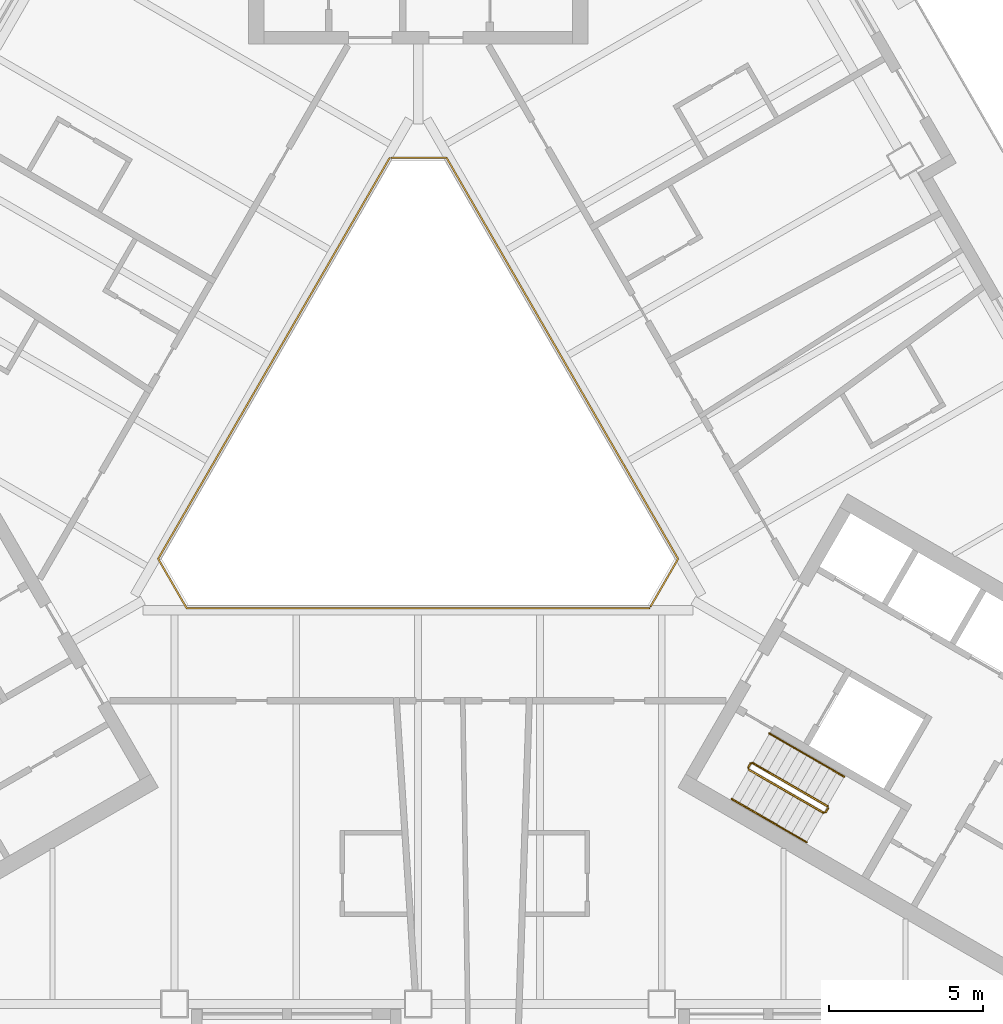
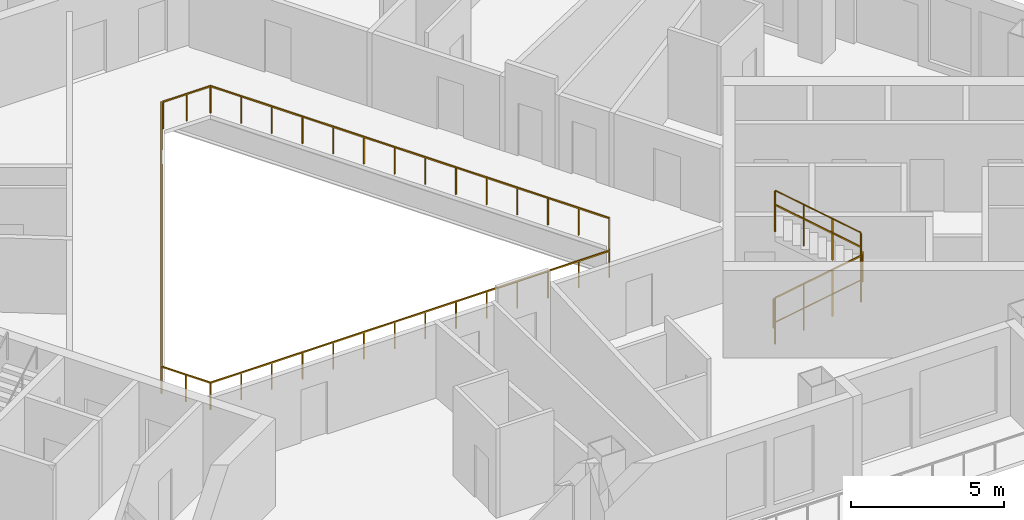
# One storey, part 12 of 14: 8 railings.
"""IFC4 building model written with IfcOpenShell, lengths in metres."""

from ifc_helpers import new_model, si_unit, direction, frame, origin, origin_2d, place, context, subcontext, project, spatial, rectangle, circle, extrude, material, type_object, element, save


model = new_model("IFC4")

# Units and contexts
model_context = context("Model", 3, precision=1e-05, world=origin(), true_north=direction((0.0, 1.0)))
body_context = subcontext(model_context, "Body", "Model", "MODEL_VIEW")
ifc_project = project(units=[si_unit("LENGTHUNIT", "METRE"), si_unit("AREAUNIT", "SQUARE_METRE"), si_unit("VOLUMEUNIT", "CUBIC_METRE"), si_unit("PLANEANGLEUNIT", "RADIAN"), si_unit("MASSUNIT", "GRAM", prefix="KILO")], contexts=[model_context])

# Site, building, storey
site_placement = place(None, origin())
site = spatial("IfcSite", under=ifc_project, at=site_placement, CompositionType="ELEMENT")
building_placement = place(site_placement, origin())
building = spatial("IfcBuilding", under=site, at=building_placement, Name="Apuvela Tower Hotel", CompositionType="ELEMENT")
storey_placement = place(building_placement, frame((0.0, 0.0, 109.39990234375)))
storey = spatial("IfcBuildingStorey", under=building, at=storey_placement, Name="L25", CompositionType="ELEMENT", Elevation=109.39990234375)

# Railings
ifc_material_1 = material(Name="Steel S275 balustrade", Category="steel")
railing_type_1 = type_object("IfcRailingType", Name="COR-GUARD-1100", PredefinedType="GUARDRAIL", material=ifc_material_1)
railing_1_placement = place(storey_placement, frame((10.718994140625, -10.63427734375, 0.168212890625)))
element("IfcRailing", 1, at=railing_1_placement, inside=storey, type_object=railing_type_1, Name="L25 ST3 stair guard 1", PredefinedType="GUARDRAIL", context=body_context, shape_type="SweptSolid", body=[
    extrude(rectangle(XDim=0.048095703125, YDim=0.048095703125, at=origin_2d()), frame((0.0, 0.0, 1.076171875), z_axis=(0.742390482028, -0.42860119049, 0.514934356695), x_axis=(0.49998411664, 0.866034573852, 0.0)), (0.0, 0.0, 1.0), 3.26611328125),
    extrude(rectangle(XDim=0.0419921875, YDim=0.0419921875, at=origin_2d()), origin(), (0.0, 0.0, 1.0), 1.052001953125),
    extrude(rectangle(XDim=0.0419921875, YDim=0.0419921875, at=origin_2d()), frame((0.808349609375, -0.466552734375, 0.560546875)), (0.0, 0.0, 1.0), 1.052001953125),
    extrude(rectangle(XDim=0.0419921875, YDim=0.0419921875, at=origin_2d()), frame((1.616455078125, -0.933349609375, 1.121337890625)), (0.0, 0.0, 1.0), 1.052001953125),
    extrude(rectangle(XDim=0.0419921875, YDim=0.0419921875, at=origin_2d()), frame((2.4248046875, -1.39990234375, 1.681884765625)), (0.0, 0.0, 1.0), 1.052001953125),
])
railing_2_placement = place(storey_placement, frame((13.212158203125, -12.015869140625, 1.85009765625)))
element("IfcRailing", 2, at=railing_2_placement, inside=storey, type_object=railing_type_1, Name="L25 ST3 stair guard 2", PredefinedType="GUARDRAIL", context=body_context, shape_type="SweptSolid", body=[
    extrude(rectangle(XDim=0.048095703125, YDim=0.048095703125, at=origin_2d()), frame((0.0, 0.0, 1.076171875), z_axis=(0.499816412211, 0.866131372301, 0.0), x_axis=(-0.866131372301, 0.499816412211, 0.0)), (0.0, 0.0, 1.0), 0.14990234375),
    extrude(rectangle(XDim=0.0419921875, YDim=0.0419921875, at=origin_2d()), origin(), (0.0, 0.0, 1.0), 1.052001953125),
    extrude(rectangle(XDim=0.0419921875, YDim=0.0419921875, at=origin_2d()), frame((0.074951171875, 0.1298828125, 0.0)), (0.0, 0.0, 1.0), 1.052001953125),
])
railing_3_placement = place(storey_placement, frame((13.268798828125, -11.817626953125, 2.018310546875)))
element("IfcRailing", 3, at=railing_3_placement, inside=storey, type_object=railing_type_1, Name="L25 ST3 stair guard 3", PredefinedType="GUARDRAIL", context=body_context, shape_type="SweptSolid", body=[
    extrude(rectangle(XDim=0.048095703125, YDim=0.048095703125, at=origin_2d()), frame((0.0, 0.0, 1.076171875), z_axis=(-0.742390482028, 0.42860119049, 0.514934356695), x_axis=(-0.49998411664, -0.866034573852, 0.0)), (0.0, 0.0, 1.0), 3.26611328125),
    extrude(rectangle(XDim=0.0419921875, YDim=0.0419921875, at=origin_2d()), origin(), (0.0, 0.0, 1.0), 1.052001953125),
    extrude(rectangle(XDim=0.0419921875, YDim=0.0419921875, at=origin_2d()), frame((-0.808349609375, 0.466552734375, 0.560546875)), (0.0, 0.0, 1.0), 1.052001953125),
    extrude(rectangle(XDim=0.0419921875, YDim=0.0419921875, at=origin_2d()), frame((-1.616455078125, 0.933349609375, 1.121337890625)), (0.0, 0.0, 1.0), 1.052001953125),
    extrude(rectangle(XDim=0.0419921875, YDim=0.0419921875, at=origin_2d()), frame((-2.4248046875, 1.39990234375, 1.681884765625)), (0.0, 0.0, 1.0), 1.052001953125),
])
railing_4_placement = place(storey_placement, frame((10.70068359375, -10.56591796875, 0.0)))
element("IfcRailing", 4, at=railing_4_placement, inside=storey, type_object=railing_type_1, Name="L25 ST3 stair guard 4", PredefinedType="GUARDRAIL", context=body_context, shape_type="SweptSolid", body=[
    extrude(rectangle(XDim=0.048095703125, YDim=0.048095703125, at=origin_2d()), frame((0.0, 0.0, 1.076171875), z_axis=(0.499816412211, 0.866131372301, 0.0), x_axis=(-0.866131372301, 0.499816412211, 0.0)), (0.0, 0.0, 1.0), 0.14990234375),
    extrude(rectangle(XDim=0.0419921875, YDim=0.0419921875, at=origin_2d()), origin(), (0.0, 0.0, 1.0), 1.052001953125),
    extrude(rectangle(XDim=0.0419921875, YDim=0.0419921875, at=origin_2d()), frame((0.074951171875, 0.1298828125, 0.0)), (0.0, 0.0, 1.0), 1.052001953125),
])
ifc_material_2 = material(Name="Stainless steel 316 handrail", Category="steel")
railing_type_2 = type_object("IfcRailingType", Name="COR-HANDRAIL-900", PredefinedType="HANDRAIL", material=ifc_material_2)
railing_5_placement = place(storey_placement, frame((10.1689453125, -11.5869140625, 0.168212890625)))
element("IfcRailing", 5, at=railing_5_placement, inside=storey, type_object=railing_type_2, Name="L25 ST3 stair handrail 1", PredefinedType="HANDRAIL", context=body_context, shape_type="SweptSolid", body=[
    extrude(circle(Radius=0.02392578125, at=origin_2d()), frame((0.0, 0.0, 0.8759765625), z_axis=(0.742390482028, -0.42860119049, 0.514934356695), x_axis=(0.49998411664, 0.866034573852, 0.0)), (0.0, 0.0, 1.0), 3.26611328125),
    extrude(rectangle(XDim=0.0419921875, YDim=0.0419921875, at=origin_2d()), origin(), (0.0, 0.0, 1.0), 0.851806640625),
    extrude(rectangle(XDim=0.0419921875, YDim=0.0419921875, at=origin_2d()), frame((0.808349609375, -0.466552734375, 0.560546875)), (0.0, 0.0, 1.0), 0.851806640625),
    extrude(rectangle(XDim=0.0419921875, YDim=0.0419921875, at=origin_2d()), frame((1.616455078125, -0.933349609375, 1.121337890625)), (0.0, 0.0, 1.0), 0.851806640625),
    extrude(rectangle(XDim=0.0419921875, YDim=0.0419921875, at=origin_2d()), frame((2.4248046875, -1.39990234375, 1.681884765625)), (0.0, 0.0, 1.0), 0.851806640625),
])
railing_6_placement = place(storey_placement, frame((13.81884765625, -10.864990234375, 2.018310546875)))
element("IfcRailing", 6, at=railing_6_placement, inside=storey, type_object=railing_type_2, Name="L25 ST3 stair handrail 2", PredefinedType="HANDRAIL", context=body_context, shape_type="SweptSolid", body=[
    extrude(circle(Radius=0.02392578125, at=origin_2d()), frame((0.0, 0.0, 0.8759765625), z_axis=(-0.742390482028, 0.42860119049, 0.514934356695), x_axis=(-0.49998411664, -0.866034573852, 0.0)), (0.0, 0.0, 1.0), 3.26611328125),
    extrude(rectangle(XDim=0.0419921875, YDim=0.0419921875, at=origin_2d()), origin(), (0.0, 0.0, 1.0), 0.851806640625),
    extrude(rectangle(XDim=0.0419921875, YDim=0.0419921875, at=origin_2d()), frame((-0.808349609375, 0.466552734375, 0.560546875)), (0.0, 0.0, 1.0), 0.851806640625),
    extrude(rectangle(XDim=0.0419921875, YDim=0.0419921875, at=origin_2d()), frame((-1.616455078125, 0.933349609375, 1.121337890625)), (0.0, 0.0, 1.0), 0.851806640625),
    extrude(rectangle(XDim=0.0419921875, YDim=0.0419921875, at=origin_2d()), frame((-2.4248046875, 1.39990234375, 1.681884765625)), (0.0, 0.0, 1.0), 0.851806640625),
])
ifc_material_3 = material(Name="Stainless steel 316 rail with laminated glass infill", Category="steel")
railing_type_3 = type_object("IfcRailingType", Name="ENV-GUARD-1100", PredefinedType="GUARDRAIL", material=ifc_material_3)
railing_7_placement = place(storey_placement, frame((-0.923828125, 9.199951171875, 0.0)))
element("IfcRailing", 7, at=railing_7_placement, inside=storey, type_object=railing_type_3, Name="Atrium void guard A L25", PredefinedType="GUARDRAIL", context=body_context, shape_type="SweptSolid", body=[
    extrude(rectangle(XDim=0.050048828125, YDim=0.050048828125, at=origin_2d()), frame((0.0, 0.0, 1.0751953125), z_axis=(-0.499990886379, -0.866030665472, 0.0), x_axis=(0.866030665472, -0.499990886379, 0.0)), (0.0, 0.0, 1.0), 15.010986328125),
    extrude(rectangle(XDim=0.050048828125, YDim=0.050048828125, at=origin_2d()), frame((-7.50537109375, -13.0, 1.0751953125), z_axis=(0.499962699187, -0.866046938348, 0.0), x_axis=(0.866046938348, 0.499962699187, 0.0)), (0.0, 0.0, 1.0), 1.847412109375),
    extrude(rectangle(XDim=0.050048828125, YDim=0.050048828125, at=origin_2d()), frame((-6.581787109375, -14.599853515625, 1.0751953125), z_axis=(1.0, 0.0, 0.0), x_axis=(0.0, 1.0, 0.0)), (0.0, 0.0, 1.0), 15.01123046875),
    extrude(rectangle(XDim=0.0400390625, YDim=0.0400390625, at=origin_2d()), origin(), (0.0, 0.0, 1.0), 1.050048828125),
    extrude(rectangle(XDim=0.0400390625, YDim=0.0400390625, at=origin_2d()), frame((-0.577392578125, -1.0, 0.0)), (0.0, 0.0, 1.0), 1.050048828125),
    extrude(rectangle(XDim=0.0400390625, YDim=0.0400390625, at=origin_2d()), frame((-1.15478515625, -2.0, 0.0)), (0.0, 0.0, 1.0), 1.050048828125),
    extrude(rectangle(XDim=0.0400390625, YDim=0.0400390625, at=origin_2d()), frame((-1.73193359375, -3.0, 0.0)), (0.0, 0.0, 1.0), 1.050048828125),
    extrude(rectangle(XDim=0.0400390625, YDim=0.0400390625, at=origin_2d()), frame((-2.309326171875, -4.0, 0.0)), (0.0, 0.0, 1.0), 1.050048828125),
    extrude(rectangle(XDim=0.0400390625, YDim=0.0400390625, at=origin_2d()), frame((-2.88671875, -5.0, 0.0)), (0.0, 0.0, 1.0), 1.050048828125),
    extrude(rectangle(XDim=0.0400390625, YDim=0.0400390625, at=origin_2d()), frame((-3.464111328125, -6.0, 0.0)), (0.0, 0.0, 1.0), 1.050048828125),
    extrude(rectangle(XDim=0.0400390625, YDim=0.0400390625, at=origin_2d()), frame((-4.041259765625, -7.0, 0.0)), (0.0, 0.0, 1.0), 1.050048828125),
    extrude(rectangle(XDim=0.0400390625, YDim=0.0400390625, at=origin_2d()), frame((-4.61865234375, -8.0, 0.0)), (0.0, 0.0, 1.0), 1.050048828125),
    extrude(rectangle(XDim=0.0400390625, YDim=0.0400390625, at=origin_2d()), frame((-5.196044921875, -9.0, 0.0)), (0.0, 0.0, 1.0), 1.050048828125),
    extrude(rectangle(XDim=0.0400390625, YDim=0.0400390625, at=origin_2d()), frame((-5.7734375, -10.0, 0.0)), (0.0, 0.0, 1.0), 1.050048828125),
    extrude(rectangle(XDim=0.0400390625, YDim=0.0400390625, at=origin_2d()), frame((-6.3505859375, -11.0, 0.0)), (0.0, 0.0, 1.0), 1.050048828125),
    extrude(rectangle(XDim=0.0400390625, YDim=0.0400390625, at=origin_2d()), frame((-6.927978515625, -12.0, 0.0)), (0.0, 0.0, 1.0), 1.050048828125),
    extrude(rectangle(XDim=0.0400390625, YDim=0.0400390625, at=origin_2d()), frame((-7.50537109375, -13.0, 0.0)), (0.0, 0.0, 1.0), 1.050048828125),
    extrude(rectangle(XDim=0.0400390625, YDim=0.0400390625, at=origin_2d()), frame((-7.04345703125, -13.7998046875, 0.0)), (0.0, 0.0, 1.0), 1.050048828125),
    extrude(rectangle(XDim=0.0400390625, YDim=0.0400390625, at=origin_2d()), frame((-6.581787109375, -14.599853515625, 0.0)), (0.0, 0.0, 1.0), 1.050048828125),
    extrude(rectangle(XDim=0.0400390625, YDim=0.0400390625, at=origin_2d()), frame((-5.427001953125, -14.599853515625, 0.0)), (0.0, 0.0, 1.0), 1.050048828125),
    extrude(rectangle(XDim=0.0400390625, YDim=0.0400390625, at=origin_2d()), frame((-4.2724609375, -14.599853515625, 0.0)), (0.0, 0.0, 1.0), 1.050048828125),
    extrude(rectangle(XDim=0.0400390625, YDim=0.0400390625, at=origin_2d()), frame((-3.11767578125, -14.599853515625, 0.0)), (0.0, 0.0, 1.0), 1.050048828125),
    extrude(rectangle(XDim=0.0400390625, YDim=0.0400390625, at=origin_2d()), frame((-1.962890625, -14.599853515625, 0.0)), (0.0, 0.0, 1.0), 1.050048828125),
    extrude(rectangle(XDim=0.0400390625, YDim=0.0400390625, at=origin_2d()), frame((-0.808349609375, -14.599853515625, 0.0)), (0.0, 0.0, 1.0), 1.050048828125),
    extrude(rectangle(XDim=0.0400390625, YDim=0.0400390625, at=origin_2d()), frame((0.346435546875, -14.599853515625, 0.0)), (0.0, 0.0, 1.0), 1.050048828125),
    extrude(rectangle(XDim=0.0400390625, YDim=0.0400390625, at=origin_2d()), frame((1.501220703125, -14.599853515625, 0.0)), (0.0, 0.0, 1.0), 1.050048828125),
    extrude(rectangle(XDim=0.0400390625, YDim=0.0400390625, at=origin_2d()), frame((2.656005859375, -14.599853515625, 0.0)), (0.0, 0.0, 1.0), 1.050048828125),
    extrude(rectangle(XDim=0.0400390625, YDim=0.0400390625, at=origin_2d()), frame((3.810546875, -14.599853515625, 0.0)), (0.0, 0.0, 1.0), 1.050048828125),
    extrude(rectangle(XDim=0.0400390625, YDim=0.0400390625, at=origin_2d()), frame((4.96533203125, -14.599853515625, 0.0)), (0.0, 0.0, 1.0), 1.050048828125),
    extrude(rectangle(XDim=0.0400390625, YDim=0.0400390625, at=origin_2d()), frame((6.1201171875, -14.599853515625, 0.0)), (0.0, 0.0, 1.0), 1.050048828125),
    extrude(rectangle(XDim=0.0400390625, YDim=0.0400390625, at=origin_2d()), frame((7.274658203125, -14.599853515625, 0.0)), (0.0, 0.0, 1.0), 1.050048828125),
    extrude(rectangle(XDim=0.0400390625, YDim=0.0400390625, at=origin_2d()), frame((8.429443359375, -14.599853515625, 0.0)), (0.0, 0.0, 1.0), 1.050048828125),
])
railing_8_placement = place(storey_placement, frame((7.53564453125, -5.347900390625, 0.0)))
element("IfcRailing", 8, at=railing_8_placement, inside=storey, type_object=railing_type_3, Name="Atrium void guard B L25", PredefinedType="GUARDRAIL", context=body_context, shape_type="SweptSolid", body=[
    extrude(rectangle(XDim=0.050048828125, YDim=0.050048828125, at=origin_2d()), frame((0.0, 0.0, 1.0751953125), z_axis=(0.499958946799, 0.866049104564, 0.0), x_axis=(-0.866049104564, 0.499958946799, 0.0)), (0.0, 0.0, 1.0), 1.787353515625),
    extrude(rectangle(XDim=0.050048828125, YDim=0.050048828125, at=origin_2d()), frame((0.8935546875, 1.5478515625, 1.0751953125), z_axis=(-0.499990886379, 0.866030665472, 0.0), x_axis=(-0.866030665472, -0.499990886379, 0.0)), (0.0, 0.0, 1.0), 15.010986328125),
    extrude(rectangle(XDim=0.050048828125, YDim=0.050048828125, at=origin_2d()), frame((-6.61181640625, 14.5478515625, 1.0751953125), z_axis=(-1.0, 0.0, 0.0), x_axis=(0.0, -1.0, 0.0)), (0.0, 0.0, 1.0), 1.78759765625),
    extrude(rectangle(XDim=0.0400390625, YDim=0.0400390625, at=origin_2d()), origin(), (0.0, 0.0, 1.0), 1.050048828125),
    extrude(rectangle(XDim=0.0400390625, YDim=0.0400390625, at=origin_2d()), frame((0.44677734375, 0.77392578125, 0.0)), (0.0, 0.0, 1.0), 1.050048828125),
    extrude(rectangle(XDim=0.0400390625, YDim=0.0400390625, at=origin_2d()), frame((0.8935546875, 1.5478515625, 0.0)), (0.0, 0.0, 1.0), 1.050048828125),
    extrude(rectangle(XDim=0.0400390625, YDim=0.0400390625, at=origin_2d()), frame((0.316162109375, 2.5478515625, 0.0)), (0.0, 0.0, 1.0), 1.050048828125),
    extrude(rectangle(XDim=0.0400390625, YDim=0.0400390625, at=origin_2d()), frame((-0.26123046875, 3.5478515625, 0.0)), (0.0, 0.0, 1.0), 1.050048828125),
    extrude(rectangle(XDim=0.0400390625, YDim=0.0400390625, at=origin_2d()), frame((-0.83837890625, 4.5478515625, 0.0)), (0.0, 0.0, 1.0), 1.050048828125),
    extrude(rectangle(XDim=0.0400390625, YDim=0.0400390625, at=origin_2d()), frame((-1.415771484375, 5.5478515625, 0.0)), (0.0, 0.0, 1.0), 1.050048828125),
    extrude(rectangle(XDim=0.0400390625, YDim=0.0400390625, at=origin_2d()), frame((-1.9931640625, 6.5478515625, 0.0)), (0.0, 0.0, 1.0), 1.050048828125),
    extrude(rectangle(XDim=0.0400390625, YDim=0.0400390625, at=origin_2d()), frame((-2.570556640625, 7.5478515625, 0.0)), (0.0, 0.0, 1.0), 1.050048828125),
    extrude(rectangle(XDim=0.0400390625, YDim=0.0400390625, at=origin_2d()), frame((-3.147705078125, 8.5478515625, 0.0)), (0.0, 0.0, 1.0), 1.050048828125),
    extrude(rectangle(XDim=0.0400390625, YDim=0.0400390625, at=origin_2d()), frame((-3.72509765625, 9.5478515625, 0.0)), (0.0, 0.0, 1.0), 1.050048828125),
    extrude(rectangle(XDim=0.0400390625, YDim=0.0400390625, at=origin_2d()), frame((-4.302490234375, 10.5478515625, 0.0)), (0.0, 0.0, 1.0), 1.050048828125),
    extrude(rectangle(XDim=0.0400390625, YDim=0.0400390625, at=origin_2d()), frame((-4.8798828125, 11.5478515625, 0.0)), (0.0, 0.0, 1.0), 1.050048828125),
    extrude(rectangle(XDim=0.0400390625, YDim=0.0400390625, at=origin_2d()), frame((-5.45703125, 12.5478515625, 0.0)), (0.0, 0.0, 1.0), 1.050048828125),
    extrude(rectangle(XDim=0.0400390625, YDim=0.0400390625, at=origin_2d()), frame((-6.034423828125, 13.5478515625, 0.0)), (0.0, 0.0, 1.0), 1.050048828125),
    extrude(rectangle(XDim=0.0400390625, YDim=0.0400390625, at=origin_2d()), frame((-6.61181640625, 14.5478515625, 0.0)), (0.0, 0.0, 1.0), 1.050048828125),
    extrude(rectangle(XDim=0.0400390625, YDim=0.0400390625, at=origin_2d()), frame((-7.505615234375, 14.5478515625, 0.0)), (0.0, 0.0, 1.0), 1.050048828125),
    extrude(rectangle(XDim=0.0400390625, YDim=0.0400390625, at=origin_2d()), frame((-8.3994140625, 14.5478515625, 0.0)), (0.0, 0.0, 1.0), 1.050048828125),
])

save(model, "model.ifc")
